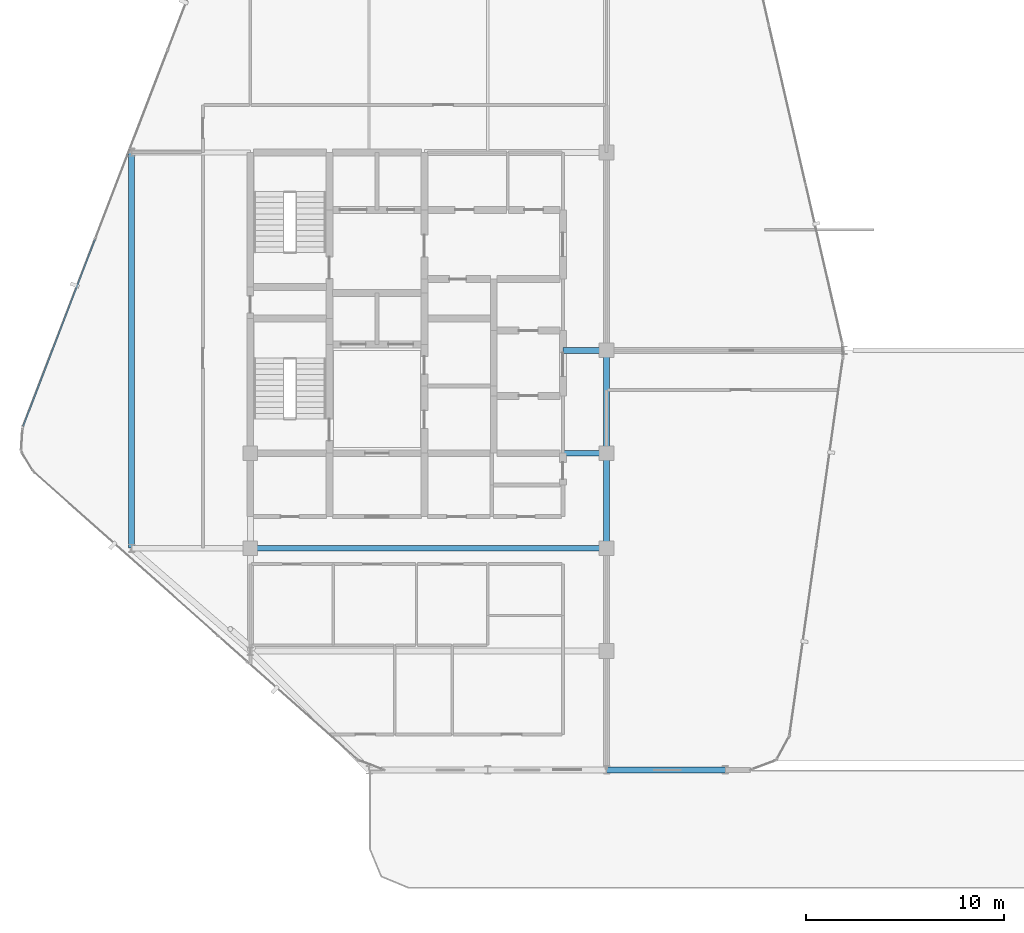
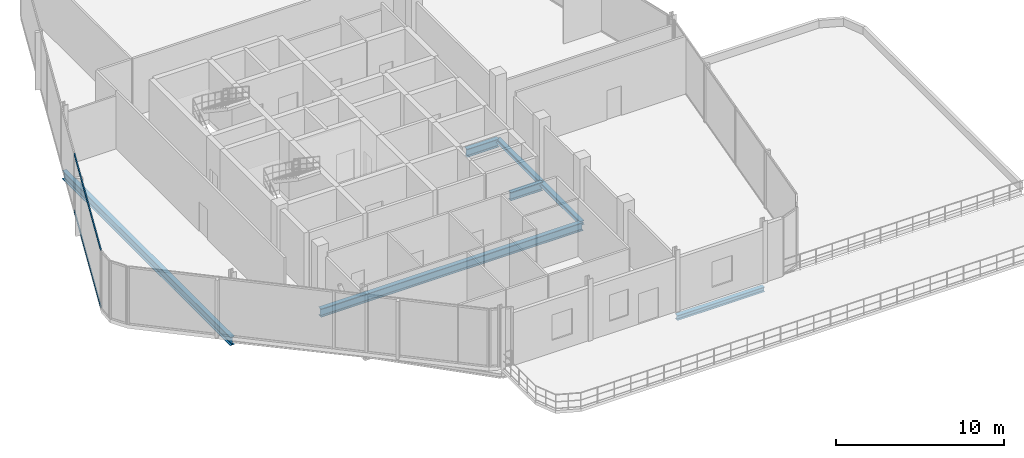
# One storey, part 8 of 24: 7 beams, 2 members, 1 element without a shape of its own.
"""IFC4 building model written with IfcOpenShell, lengths in metres."""

from ifc_helpers import new_model, si_unit, direction, frame, origin, origin_2d, place, context, subcontext, project, spatial, hollow_rectangle, i_section, extrude, material, layer, layer_set, material_profile, profile_set, type_object, element, aggregate, save


model = new_model("IFC4")

# Units and contexts
model_context = context("Model", 3, precision=1e-05, world=origin(), true_north=direction((0.0, 1.0)))
body_context = subcontext(model_context, "Body", "Model", "MODEL_VIEW")
ifc_project = project(units=[si_unit("LENGTHUNIT", "METRE"), si_unit("AREAUNIT", "SQUARE_METRE"), si_unit("VOLUMEUNIT", "CUBIC_METRE"), si_unit("PLANEANGLEUNIT", "RADIAN"), si_unit("MASSUNIT", "GRAM", prefix="KILO")], contexts=[model_context])

# Site, building, storey
site_placement = place(None, origin())
site = spatial("IfcSite", under=ifc_project, at=site_placement, CompositionType="ELEMENT")
building_placement = place(site_placement, origin())
building = spatial("IfcBuilding", under=site, at=building_placement, Name="Keshet Zoharim Tower", CompositionType="ELEMENT")
storey_placement = place(building_placement, frame((0.0, 0.0, 242.800048828125)))
storey = spatial("IfcBuildingStorey", under=building, at=storey_placement, Name="L60", CompositionType="ELEMENT", Elevation=242.800048828125)

# Beams
ifc_material_1 = material(Name="Steel S355", Category="steel")
ifc_material_profile_1 = material_profile(ifc_material_1, i_section(OverallWidth=0.300048828125, OverallDepth=0.60009765625, WebThickness=0.015380859375, FlangeThickness=0.030029296875, FilletRadius=0.027099609375, at=origin_2d()), Name="HEB600")
ifc_profile_set_1 = profile_set([ifc_material_profile_1], Name="Steel S355")
beam_type_1 = type_object("IfcBeamType", Name="BM-CLK-HB600", PredefinedType="BEAM", material=ifc_profile_set_1)
for number, where, z_axis, x_axis, name in (
    (1, (30.800048828125, 22.699951171875, -0.6201171875), (1.0, 0.0, 0.0), (0.0, 1.0, 0.0), "L60 Core Wall Link Girder 01"),
    (2, (30.800048828125, 27.89990234375, -0.6201171875), (1.0, 0.0, 0.0), (0.0, 1.0, 0.0), "L60 Core Wall Link Girder 02"),
):
    element("IfcBeam", number, at=place(storey_placement, frame(where, z_axis=z_axis, x_axis=x_axis)), inside=storey, type_object=beam_type_1, Name=name, PredefinedType="BEAM", context=body_context, shape_type="SweptSolid", body=[
        extrude(i_section(OverallWidth=0.300048828125, OverallDepth=0.60009765625, WebThickness=0.015380859375, FlangeThickness=0.030029296875, FilletRadius=0.027099609375, at=origin_2d()), origin(), (0.0, 0.0, 1.0), 2.199951171875),
    ])
ifc_material_profile_2 = material_profile(ifc_material_1, i_section(OverallWidth=0.300048828125, OverallDepth=0.60009765625, WebThickness=0.015380859375, FlangeThickness=0.030029296875, FilletRadius=0.027099609375, at=origin_2d()), Name="HEB600")
ifc_profile_set_2 = profile_set([ifc_material_profile_2], Name="Steel S355")
beam_type_2 = type_object("IfcBeamType", Name="BM-LNG-HB600", PredefinedType="BEAM", material=ifc_profile_set_2)
beam_1_placement = place(storey_placement, frame((15.0, 17.89990234375, -0.6201171875), z_axis=(1.0, 0.0, 0.0), x_axis=(0.0, 1.0, 0.0)))
element("IfcBeam", 3, at=beam_1_placement, inside=storey, type_object=beam_type_2, Name="L60 Primary Girder X-006", PredefinedType="BEAM", context=body_context, shape_type="SweptSolid", body=[
    extrude(i_section(OverallWidth=0.300048828125, OverallDepth=0.60009765625, WebThickness=0.015380859375, FlangeThickness=0.030029296875, FilletRadius=0.027099609375, at=origin_2d()), origin(), (0.0, 0.0, 1.0), 18.0),
])
beam_2_placement = place(storey_placement, frame((9.0, 17.89990234375, -0.6201171875), z_axis=(0.0, 1.0, 0.0), x_axis=(-1.0, 0.0, 0.0)))
element("IfcBeam", 4, at=beam_2_placement, inside=storey, type_object=beam_type_2, Name="L60 Primary Girder Y-001", PredefinedType="BEAM", context=body_context, shape_type="SweptSolid", body=[
    extrude(i_section(OverallWidth=0.300048828125, OverallDepth=0.60009765625, WebThickness=0.015380859375, FlangeThickness=0.030029296875, FilletRadius=0.027099609375, at=origin_2d()), origin(), (0.0, 0.0, 1.0), 20.0),
])
ifc_material_profile_3 = material_profile(ifc_material_1, i_section(OverallWidth=0.300048828125, OverallDepth=0.2900390625, WebThickness=0.008544921875, FlangeThickness=0.013916015625, FilletRadius=0.027099609375, at=origin_2d()), Name="HEA300")
ifc_profile_set_3 = profile_set([ifc_material_profile_3], Name="Steel S355")
beam_type_3 = type_object("IfcBeamType", Name="BM-PRI-HA300", PredefinedType="BEAM", material=ifc_profile_set_3)
beam_3_placement = place(storey_placement, frame((33.0, 17.89990234375, -0.465087890625), z_axis=(0.0, 1.0, 0.0), x_axis=(-1.0, 0.0, 0.0)))
element("IfcBeam", 5, at=beam_3_placement, inside=storey, type_object=beam_type_3, Name="L60 Primary Girder Y-006", PredefinedType="BEAM", context=body_context, shape_type="SweptSolid", body=[
    extrude(i_section(OverallWidth=0.300048828125, OverallDepth=0.2900390625, WebThickness=0.008544921875, FlangeThickness=0.013916015625, FilletRadius=0.027099609375, at=origin_2d()), origin(), (0.0, 0.0, 1.0), 4.800048828125),
])
beam_4_placement = place(storey_placement, frame((33.0, 22.699951171875, -0.465087890625), z_axis=(0.0, 1.0, 0.0), x_axis=(-1.0, 0.0, 0.0)))
element("IfcBeam", 6, at=beam_4_placement, inside=storey, type_object=beam_type_3, Name="L60 Primary Girder Y-007", PredefinedType="BEAM", context=body_context, shape_type="SweptSolid", body=[
    extrude(i_section(OverallWidth=0.300048828125, OverallDepth=0.2900390625, WebThickness=0.008544921875, FlangeThickness=0.013916015625, FilletRadius=0.027099609375, at=origin_2d()), origin(), (0.0, 0.0, 1.0), 5.199951171875),
])
ifc_material_profile_4 = material_profile(ifc_material_1, i_section(OverallWidth=0.300048828125, OverallDepth=0.35009765625, WebThickness=0.010009765625, FlangeThickness=0.017578125, FilletRadius=0.027099609375, at=origin_2d()), Name="HEA360")
ifc_profile_set_4 = profile_set([ifc_material_profile_4], Name="Steel S355")
beam_type_4 = type_object("IfcBeamType", Name="BM-PRI-HA360", PredefinedType="BEAM", material=ifc_profile_set_4)
beam_5_placement = place(storey_placement, frame((33.0, 6.699951171875, -0.4951171875), z_axis=(1.0, 0.0, 0.0), x_axis=(0.0, 1.0, 0.0)))
element("IfcBeam", 7, at=beam_5_placement, inside=storey, type_object=beam_type_4, Name="L60 Primary Girder X-003", PredefinedType="BEAM", context=body_context, shape_type="SweptSolid", body=[
    extrude(i_section(OverallWidth=0.300048828125, OverallDepth=0.35009765625, WebThickness=0.010009765625, FlangeThickness=0.017578125, FilletRadius=0.027099609375, at=origin_2d()), origin(), (0.0, 0.0, 1.0), 6.0),
])

# Curtain wall, members
ifc_material_2 = material(Name="Aluminium 6063-T6", Category="aluminium")
ifc_layer = layer(ifc_material_2, 0.260009765625)
ifc_layer_set = layer_set([ifc_layer], Name="Aluminium 6063-T6")
curtain_wall_type = type_object("IfcCurtainWallType", Name="CW-SYS-06", PredefinedType="NOTDEFINED", material=ifc_layer_set)
curtain_wall_placement = place(storey_placement, origin())
curtain_wall = element("IfcCurtainWall", 8, at=curtain_wall_placement, inside=storey, type_object=curtain_wall_type, Name="L60 Unitised Curtain Wall 03", PredefinedType="NOTDEFINED")
ifc_material_profile_5 = material_profile(ifc_material_2, hollow_rectangle(XDim=0.074951171875, YDim=0.1201171875, WallThickness=0.00390625, at=origin_2d()), Name="TRN-75x120")
ifc_profile_set_5 = profile_set([ifc_material_profile_5], Name="Aluminium 6063-T6")
member_type = type_object("IfcMemberType", Name="CWT-T12", PredefinedType="USERDEFINED", material=ifc_profile_set_5)
member_1_placement = place(storey_placement, frame((3.522216796875, 24.058349609375, 0.034912109375), z_axis=(0.358993631387, 0.93334000912, 0.0), x_axis=(-0.93334000912, 0.358993631387, 0.0)))
member_1 = element("IfcMember", 9, at=member_1_placement, type_object=member_type, Name="CW-06 transom 1.1", ObjectType="TRANSOM", PredefinedType="USERDEFINED", context=body_context, shape_type="SweptSolid", body=[
    extrude(hollow_rectangle(XDim=0.074951171875, YDim=0.1201171875, WallThickness=0.00390625, at=origin_2d()), origin(), (0.0, 0.0, 1.0), 10.1181640625),
])
member_2_placement = place(storey_placement, frame((3.522216796875, 24.058349609375, 4.155029296875), z_axis=(0.358993631387, 0.93334000912, 0.0), x_axis=(-0.93334000912, 0.358993631387, 0.0)))
member_2 = element("IfcMember", 10, at=member_2_placement, type_object=member_type, Name="CW-06 transom 1.2", ObjectType="TRANSOM", PredefinedType="USERDEFINED", context=body_context, shape_type="SweptSolid", body=[
    extrude(hollow_rectangle(XDim=0.074951171875, YDim=0.1201171875, WallThickness=0.00390625, at=origin_2d()), origin(), (0.0, 0.0, 1.0), 10.1181640625),
])
aggregate(curtain_wall, [member_1, member_2])

save(model, "model.ifc")
